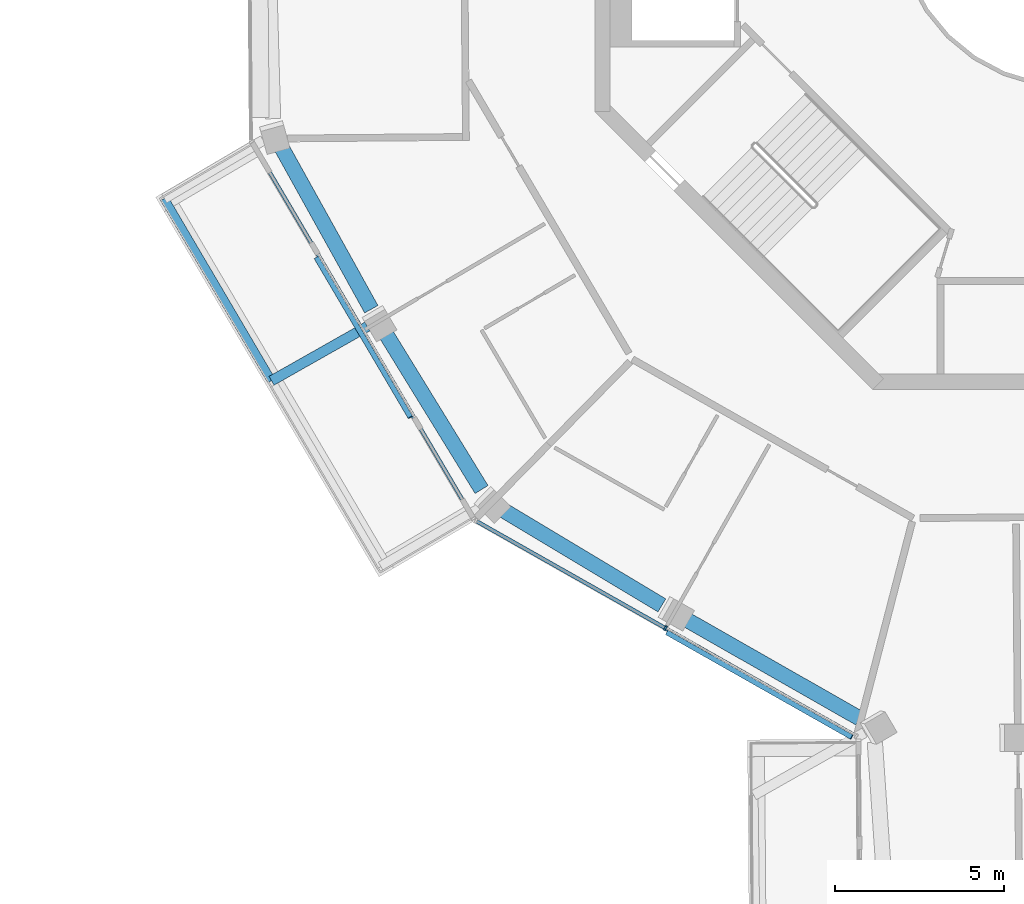
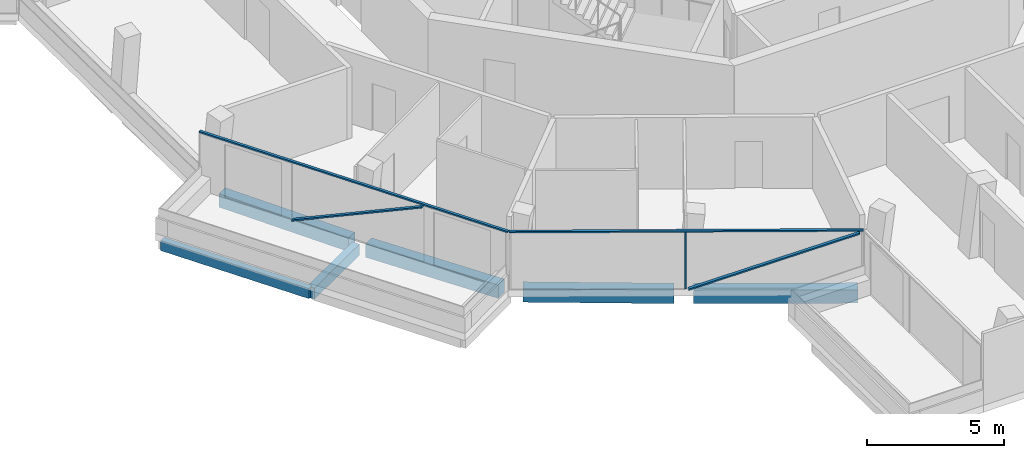
# One storey, part 3 of 26: 6 beams, 5 members, 2 elements without a shape of their own.
"""IFC4 building model written with IfcOpenShell, lengths in metres."""

from ifc_helpers import new_model, si_unit, direction, frame, origin, origin_2d, place, context, subcontext, project, spatial, rectangle, extrude, material, layer, layer_set, material_profile, profile_set, type_object, element, aggregate, save


model = new_model("IFC4")

# Units and contexts
model_context = context("Model", 3, precision=1e-05, world=origin(), true_north=direction((0.0, 1.0)))
body_context = subcontext(model_context, "Body", "Model", "MODEL_VIEW")
ifc_project = project(units=[si_unit("LENGTHUNIT", "METRE"), si_unit("AREAUNIT", "SQUARE_METRE"), si_unit("VOLUMEUNIT", "CUBIC_METRE"), si_unit("PLANEANGLEUNIT", "RADIAN"), si_unit("MASSUNIT", "GRAM", prefix="KILO")], contexts=[model_context])

# Site, building, storey
site_placement = place(None, origin())
site = spatial("IfcSite", under=ifc_project, at=site_placement, CompositionType="ELEMENT")
building_placement = place(site_placement, origin())
building = spatial("IfcBuilding", under=site, at=building_placement, Name="Verdalira Terraces Hotel", CompositionType="ELEMENT")
storey_placement = place(building_placement, frame((0.0, 0.0, 281.0)))
storey = spatial("IfcBuildingStorey", under=building, at=storey_placement, Name="L69", CompositionType="ELEMENT", Elevation=281.0)

# Beams
ifc_material_1 = material(Name="Concrete C40", Category="concrete")
ifc_material_profile_1 = material_profile(ifc_material_1, rectangle(XDim=0.300049, YDim=0.5, at=origin_2d()), Name="RC 300X500")
ifc_profile_set_1 = profile_set([ifc_material_profile_1], Name="Concrete C40")
beam_type_1 = type_object("IfcBeamType", Name="Balcony cantilever beam RC 300X500 C40", PredefinedType="BEAM", material=ifc_profile_set_1)
beam_1_placement = place(storey_placement, frame((-20.710938, -12.142334, -0.560059), z_axis=(-0.87018213, -0.492730211, 0.0), x_axis=(0.492730211, -0.87018213, 0.0)))
element("IfcBeam", 1, at=beam_1_placement, inside=storey, type_object=beam_type_1, Name="Balcony cantilever beam R12-2", PredefinedType="BEAM", context=body_context, shape_type="SweptSolid", body=[
    extrude(rectangle(XDim=0.300049, YDim=0.5, at=origin_2d()), origin(), (0.0, 0.0, 1.0), 3.250977),
])
ifc_material_2 = material(Name="Concrete C40", Category="concrete")
ifc_material_profile_2 = material_profile(ifc_material_2, rectangle(XDim=0.25, YDim=0.449951, at=origin_2d()), Name="RC 250X450")
ifc_profile_set_2 = profile_set([ifc_material_profile_2], Name="Concrete C40")
beam_type_2 = type_object("IfcBeamType", Name="Balcony edge beam RC 250X450 C40", PredefinedType="BEAM", material=ifc_profile_set_2)
beam_2_placement = place(storey_placement, frame((-26.705566, -8.365479, -0.534912), z_axis=(0.507240638, -0.861804465, 0.0), x_axis=(0.861804465, 0.507240638, 0.0)))
element("IfcBeam", 2, at=beam_2_placement, inside=storey, type_object=beam_type_2, Name="Balcony edge beam R12-1", PredefinedType="BEAM", context=body_context, shape_type="SweptSolid", body=[
    extrude(rectangle(XDim=0.25, YDim=0.449951, at=origin_2d()), origin(), (0.0, 0.0, 1.0), 6.241211),
])

# Curtain wall, member
ifc_material_3 = material(Name="Clear glass", Category="glass")
ifc_layer = layer(ifc_material_3, 0.14990234375)
ifc_layer_set = layer_set([ifc_layer], Name="CW1 curtain wall")
curtain_wall_type = type_object("IfcCurtainWallType", Name="CW1 curtain wall", PredefinedType="NOTDEFINED", material=ifc_layer_set)
curtain_wall_1_placement = place(storey_placement, origin())
curtain_wall_1 = element("IfcCurtainWall", 3, at=curtain_wall_1_placement, inside=storey, type_object=curtain_wall_type, Name="CW1 curtain wall L69 edge 13", PredefinedType="NOTDEFINED")
ifc_material_4 = material(Name="Terracotta frame", Category="masonry")
ifc_material_profile_3 = material_profile(ifc_material_4, rectangle(XDim=0.060059, YDim=0.149902, at=origin_2d()), Name="MU 60x150")
ifc_profile_set_3 = profile_set([ifc_material_profile_3], Name="Terracotta frame")
member_type_1 = type_object("IfcMemberType", Name="CW1 mullion 60x150", PredefinedType="MULLION", material=ifc_profile_set_3)
member_1_placement = place(storey_placement, frame((-11.915771, -21.043945, 0.0), z_axis=(0.0, 0.0, 1.0), x_axis=(0.870183755, -0.492727342, 0.0)))
member_1 = element("IfcMember", 4, at=member_1_placement, type_object=member_type_1, Name="CW1 mullion", PredefinedType="MULLION", context=body_context, shape_type="SweptSolid", body=[
    extrude(rectangle(XDim=0.060059, YDim=0.149902, at=origin_2d()), origin(), (0.0, 0.0, 1.0), 2.524902),
])

curtain_wall_2_placement = place(storey_placement, origin())
curtain_wall_2 = element("IfcCurtainWall", 5, at=curtain_wall_2_placement, inside=storey, type_object=curtain_wall_type, Name="CW1 curtain wall L69 edge 12", PredefinedType="NOTDEFINED")
ifc_material_5 = material(Name="Terracotta frame", Category="masonry")
ifc_material_profile_4 = material_profile(ifc_material_5, rectangle(XDim=0.110107, YDim=0.064941, at=origin_2d()), Name="TR 65x110")
ifc_profile_set_4 = profile_set([ifc_material_profile_4], Name="Terracotta frame")
member_type_2 = type_object("IfcMemberType", Name="CW1 transom 65x110", PredefinedType="USERDEFINED", material=ifc_profile_set_4)
member_2_placement = place(storey_placement, frame((-24.138428, -6.665039, 2.557617), z_axis=(0.50724404, -0.861802462, 0.0), x_axis=(0.861802462, 0.50724404, 0.0)))
member_2 = element("IfcMember", 6, at=member_2_placement, type_object=member_type_2, Name="CW1 transom", ObjectType="TRANSOM", PredefinedType="USERDEFINED", context=body_context, shape_type="SweptSolid", body=[
    extrude(rectangle(XDim=0.110107, YDim=0.064941, at=origin_2d()), origin(), (0.0, 0.0, 1.0), 12.959717),
])

# Member
member_3_placement = place(storey_placement, frame((-17.537109, -17.861084, 2.557617), z_axis=(0.87019209, -0.492712621, 0.0), x_axis=(0.492712621, 0.87019209, 0.0)))
member_3 = element("IfcMember", 7, at=member_3_placement, type_object=member_type_2, Name="CW1 transom", ObjectType="TRANSOM", PredefinedType="USERDEFINED", context=body_context, shape_type="SweptSolid", body=[
    extrude(rectangle(XDim=0.110107, YDim=0.064941, at=origin_2d()), origin(), (0.0, 0.0, 1.0), 12.959961),
])

ifc_material_6 = material(Name="Terracotta frame", Category="masonry")
ifc_material_profile_5 = material_profile(ifc_material_6, rectangle(XDim=0.149902, YDim=0.060059, at=origin_2d()), Name="GB 60x150")
ifc_profile_set_5 = profile_set([ifc_material_profile_5], Name="Terracotta frame")
member_type_3 = type_object("IfcMemberType", Name="Diagonal glazing bar 60x150", PredefinedType="USERDEFINED", material=ifc_profile_set_5)
member_4_placement = place(storey_placement, frame((-22.211914, -10.113525, 0.028076), z_axis=(0.462205615, -0.785305548, 0.411899461), x_axis=(0.861808931, 0.507233049, 0.0)))
member_4 = element("IfcMember", 8, at=member_4_placement, type_object=member_type_3, Name="Diagonal glazing bar", ObjectType="GLAZING BAR", PredefinedType="USERDEFINED", context=body_context, shape_type="SweptSolid", body=[
    extrude(rectangle(XDim=0.149902, YDim=0.060059, at=origin_2d()), origin(), (0.0, 0.0, 1.0), 5.993652),
])

aggregate(curtain_wall_2, [member_2, member_4])

member_5_placement = place(storey_placement, frame((-11.870361, -21.172119, 0.028564), z_axis=(0.809637708, -0.45842848, 0.366510724), x_axis=(0.492714604, 0.870190967, 0.0)))
member_5 = element("IfcMember", 9, at=member_5_placement, type_object=member_type_3, Name="Diagonal glazing bar", ObjectType="GLAZING BAR", PredefinedType="USERDEFINED", context=body_context, shape_type="SweptSolid", body=[
    extrude(rectangle(XDim=0.149902, YDim=0.060059, at=origin_2d()), origin(), (0.0, 0.0, 1.0), 6.733154),
])

aggregate(curtain_wall_1, [member_1, member_3, member_5])

# Beams
ifc_material_7 = material(Name="Concrete C40", Category="concrete")
ifc_material_profile_6 = material_profile(ifc_material_7, rectangle(XDim=0.449951, YDim=0.600098, at=origin_2d()), Name="RC 450X600")
ifc_profile_set_6 = profile_set([ifc_material_profile_6], Name="Concrete C40")
beam_type_3 = type_object("IfcBeamType", Name="Spandrel beam RC 450X600 C40", PredefinedType="SPANDREL", material=ifc_profile_set_6)
beam_3_placement = place(storey_placement, frame((-23.275879, -6.802734, -0.610107), z_axis=(0.485391478, -0.874296925, 0.0), x_axis=(0.874296925, 0.485391478, 0.0)))
element("IfcBeam", 10, at=beam_3_placement, inside=storey, type_object=beam_type_3, Name="Spandrel beam B06", PredefinedType="SPANDREL", context=body_context, shape_type="SweptSolid", body=[
    extrude(rectangle(XDim=0.449951, YDim=0.600098, at=origin_2d()), origin(), (0.0, 0.0, 1.0), 5.523682),
])
beam_4_placement = place(storey_placement, frame((-20.233643, -12.249268, -0.610107), z_axis=(0.523764326, -0.851863211, 0.0), x_axis=(0.851863211, 0.523764326, 0.0)))
element("IfcBeam", 11, at=beam_4_placement, inside=storey, type_object=beam_type_3, Name="Spandrel beam B07", PredefinedType="SPANDREL", context=body_context, shape_type="SweptSolid", body=[
    extrude(rectangle(XDim=0.449951, YDim=0.600098, at=origin_2d()), origin(), (0.0, 0.0, 1.0), 5.52124),
])
beam_5_placement = place(storey_placement, frame((-16.756348, -17.529297, -0.610107), z_axis=(0.857516323, -0.514456757, 0.0), x_axis=(0.514456757, 0.857516323, 0.0)))
element("IfcBeam", 12, at=beam_5_placement, inside=storey, type_object=beam_type_3, Name="Spandrel beam B08", PredefinedType="SPANDREL", context=body_context, shape_type="SweptSolid", body=[
    extrude(rectangle(XDim=0.449951, YDim=0.600098, at=origin_2d()), origin(), (0.0, 0.0, 1.0), 5.523926),
])
beam_6_placement = place(storey_placement, frame((-11.408691, -20.728271, -0.610107), z_axis=(0.868740052, -0.495268334, 0.0), x_axis=(0.495268334, 0.868740052, 0.0)))
element("IfcBeam", 13, at=beam_6_placement, inside=storey, type_object=beam_type_3, Name="Spandrel beam B09", PredefinedType="SPANDREL", context=body_context, shape_type="SweptSolid", body=[
    extrude(rectangle(XDim=0.449951, YDim=0.600098, at=origin_2d()), origin(), (0.0, 0.0, 1.0), 6.011475),
])

save(model, "model.ifc")
